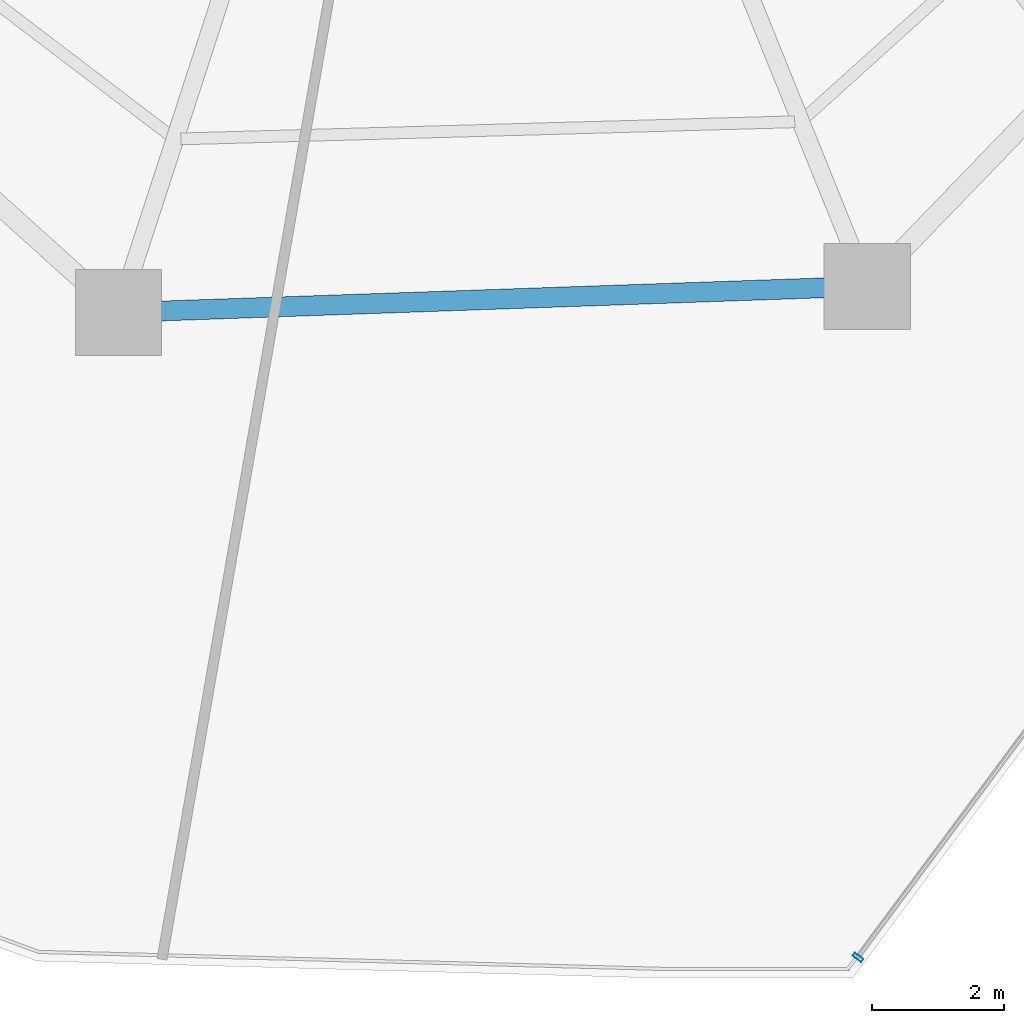
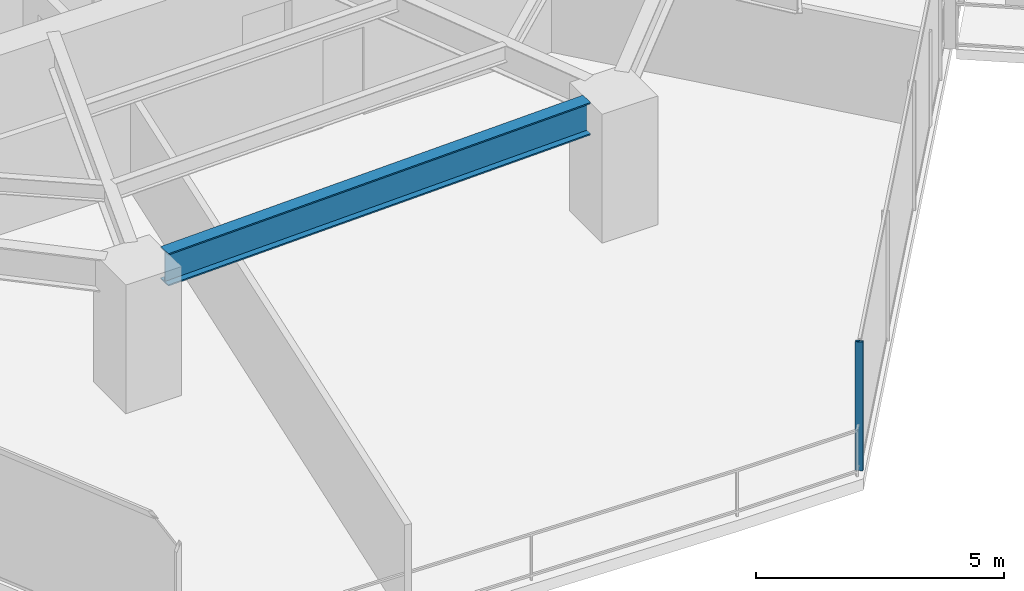
# One storey, part 5 of 28: 1 beam, 1 member, 1 element without a shape of its own.
"""IFC4 building model written with IfcOpenShell, lengths in metres."""

from ifc_helpers import new_model, si_unit, direction, frame, origin, origin_2d, place, context, subcontext, project, spatial, hollow_rectangle, i_section, extrude, material, layer, layer_set, material_profile, profile_set, type_object, element, aggregate, save


model = new_model("IFC4")

# Units and contexts
model_context = context("Model", 3, precision=1e-05, world=origin(), true_north=direction((0.0, 1.0)))
body_context = subcontext(model_context, "Body", "Model", "MODEL_VIEW")
ifc_project = project(units=[si_unit("LENGTHUNIT", "METRE"), si_unit("AREAUNIT", "SQUARE_METRE"), si_unit("VOLUMEUNIT", "CUBIC_METRE"), si_unit("PLANEANGLEUNIT", "RADIAN"), si_unit("MASSUNIT", "GRAM", prefix="KILO")], contexts=[model_context])

# Site, building, storey
site_placement = place(None, origin())
site = spatial("IfcSite", under=ifc_project, at=site_placement, CompositionType="ELEMENT")
building_placement = place(site_placement, origin())
building = spatial("IfcBuilding", under=site, at=building_placement, Name="Qarnah Convention Tower", CompositionType="ELEMENT")
storey_placement = place(building_placement, frame((0.0, 0.0, 44.25)))
storey = spatial("IfcBuildingStorey", under=building, at=storey_placement, Name="L10", CompositionType="ELEMENT", Elevation=44.25)

# Beam
ifc_material_1 = material(Name="Structural steel S355JR", Category="steel")
ifc_material_profile_1 = material_profile(ifc_material_1, i_section(OverallWidth=0.300048828125, OverallDepth=0.800048828125, WebThickness=0.01806640625, FlangeThickness=0.032958984375, at=origin_2d()), Name="HEB800")
ifc_profile_set_1 = profile_set([ifc_material_profile_1], Name="Structural steel S355JR")
beam_type = type_object("IfcBeamType", Name="BM-RING-HEB800", PredefinedType="BEAM", material=ifc_profile_set_1)
beam_placement = place(storey_placement, frame((32.72607421875, 10.681884765625, 2.77001953125), z_axis=(0.999388457365, 0.034967288783, 0.0), x_axis=(-0.034967288783, 0.999388457365, 0.0)))
element("IfcBeam", 1, at=beam_placement, inside=storey, type_object=beam_type, Name="L10 beam BM-L10-SPN-07", PredefinedType="BEAM", context=body_context, shape_type="SweptSolid", body=[
    extrude(i_section(OverallWidth=0.300048828125, OverallDepth=0.800048828125, WebThickness=0.01806640625, FlangeThickness=0.032958984375, at=origin_2d()), origin(), (0.0, 0.0, 1.0), 10.0400390625),
])

# Curtain wall, member
ifc_material_2 = material(Name="Tempered Low-E dark glass", Category="glass")
ifc_layer = layer(ifc_material_2, 0.16796875)
ifc_layer_set = layer_set([ifc_layer], Name="Tempered Low-E dark glass")
curtain_wall_type = type_object("IfcCurtainWallType", Name="CWS-01", PredefinedType="NOTDEFINED", material=ifc_layer_set)
curtain_wall_placement = place(storey_placement, origin())
curtain_wall = element("IfcCurtainWall", 2, at=curtain_wall_placement, inside=storey, type_object=curtain_wall_type, Name="L10 unitised curtain wall CW-L10-F4", PredefinedType="NOTDEFINED")
ifc_material_3 = material(Name="Black anodised aluminium", Category="aluminium")
ifc_material_profile_2 = material_profile(ifc_material_3, hollow_rectangle(XDim=0.06005859375, YDim=0.159912109375, WallThickness=0.00390625, at=origin_2d()), Name="MUL-60X160")
ifc_profile_set_2 = profile_set([ifc_material_profile_2], Name="Black anodised aluminium")
member_type = type_object("IfcMemberType", Name="MUL-T1", PredefinedType="MULLION", material=ifc_profile_set_2)
member_placement = place(storey_placement, frame((43.260009765625, 0.912109375, 0.0), z_axis=(0.0, 0.0, 1.0), x_axis=(-0.596332003942, -0.802737903101, 0.0)))
member = element("IfcMember", 3, at=member_placement, type_object=member_type, Name="CW-L10-F4 mullion 4", PredefinedType="MULLION", context=body_context, shape_type="SweptSolid", body=[
    extrude(hollow_rectangle(XDim=0.06005859375, YDim=0.159912109375, WallThickness=0.00390625, at=origin_2d()), origin(), (0.0, 0.0, 1.0), 3.169921875),
])
aggregate(curtain_wall, [member])

save(model, "model.ifc")
